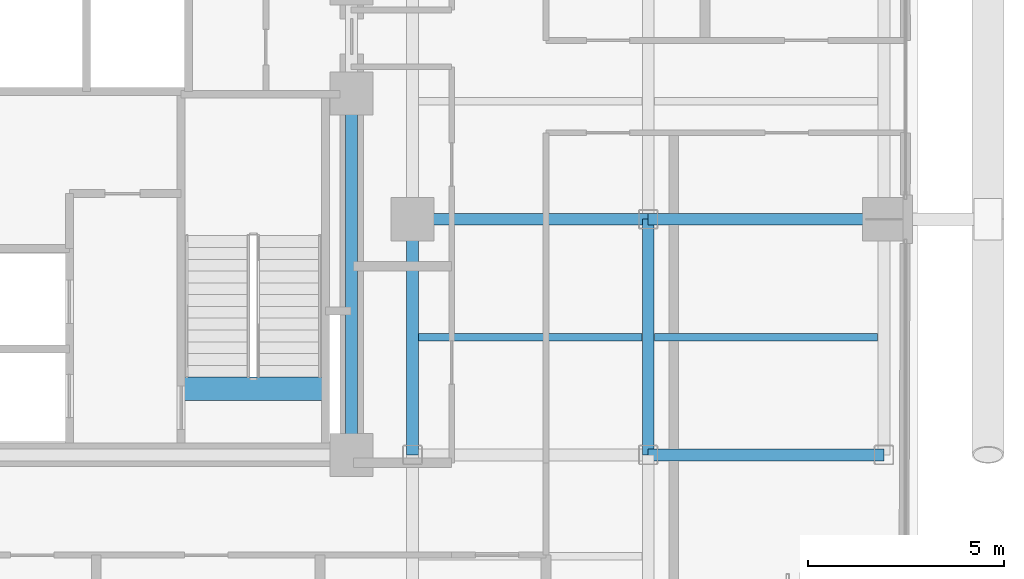
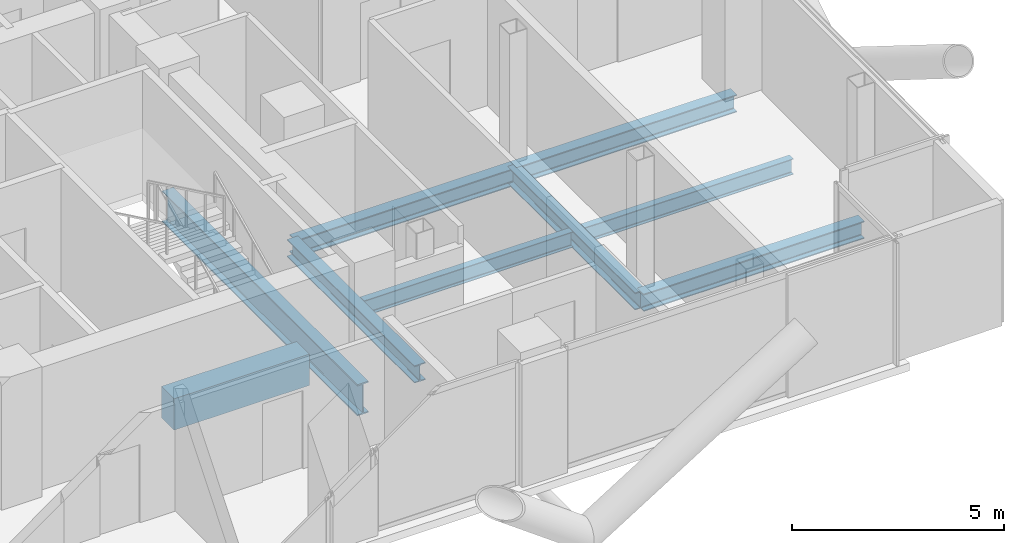
# One storey, part 10 of 24: 9 beams.
"""IFC4 building model written with IfcOpenShell, lengths in metres."""

from ifc_helpers import new_model, si_unit, direction, frame, origin, origin_2d, place, context, subcontext, project, spatial, rectangle, i_section, extrude, material, material_profile, profile_set, type_object, element, save


model = new_model("IFC4")

# Units and contexts
model_context = context("Model", 3, precision=1e-05, world=origin(), true_north=direction((0.0, 1.0)))
body_context = subcontext(model_context, "Body", "Model", "MODEL_VIEW")
ifc_project = project(units=[si_unit("LENGTHUNIT", "METRE"), si_unit("AREAUNIT", "SQUARE_METRE"), si_unit("VOLUMEUNIT", "CUBIC_METRE"), si_unit("PLANEANGLEUNIT", "RADIAN"), si_unit("MASSUNIT", "GRAM", prefix="KILO"), si_unit("THERMODYNAMICTEMPERATUREUNIT", "KELVIN"), si_unit("POWERUNIT", "WATT")], contexts=[model_context])

# Site, building, storey
site_placement = place(None, origin())
site = spatial("IfcSite", under=ifc_project, at=site_placement, CompositionType="ELEMENT")
building_placement = place(site_placement, origin())
building = spatial("IfcBuilding", under=site, at=building_placement, Name="Svarakhadi Broadcast Tower", CompositionType="ELEMENT")
storey_placement = place(building_placement, frame((0.0, 0.0, 130.64990234375)))
storey = spatial("IfcBuildingStorey", under=building, at=storey_placement, Name="L31", CompositionType="ELEMENT", Elevation=130.64990234375)

# Beams
ifc_material_1 = material(Name="Steel S355J2 (IS 2062 E350C)", Category="steel")
ifc_material_profile_1 = material_profile(ifc_material_1, i_section(OverallWidth=0.18994140625, OverallDepth=0.449951171875, WebThickness=0.009521484375, FlangeThickness=0.0146484375, FilletRadius=0.02099609375, at=origin_2d()), Name="NPB 450x190x78")
ifc_profile_set_1 = profile_set([ifc_material_profile_1], Name="Steel S355J2 (IS 2062 E350C)")
beam_type_1 = type_object("IfcBeamType", Name="Beam_NPB450", PredefinedType="BEAM", material=ifc_profile_set_1)
for number, where, z_axis, x_axis, name in (
    (1, (35.31005859375, 9.0, -0.449951171875), (1.0, 0.0, 0.0), (0.0, 1.0, 0.0), "L31 Secondary Composite Beam SB020"),
    (2, (41.31005859375, 9.0, -0.449951171875), (1.0, 0.0, 0.0), (0.0, 1.0, 0.0), "L31 Secondary Composite Beam SB022"),
):
    element("IfcBeam", number, at=place(storey_placement, frame(where, z_axis=z_axis, x_axis=x_axis)), inside=storey, type_object=beam_type_1, Name=name, PredefinedType="BEAM", context=body_context, shape_type="SweptSolid", body=[
        extrude(i_section(OverallWidth=0.18994140625, OverallDepth=0.449951171875, WebThickness=0.009521484375, FlangeThickness=0.0146484375, FilletRadius=0.02099609375, at=origin_2d()), origin(), (0.0, 0.0, 1.0), 5.679931640625),
    ])
ifc_material_2 = material(Name="Concrete C50/60 (IS 456 M60)", Category="concrete")
ifc_material_profile_2 = material_profile(ifc_material_2, rectangle(XDim=0.60009765625, YDim=0.89990234375, at=origin_2d()), Name="RC 600x900")
ifc_profile_set_2 = profile_set([ifc_material_profile_2], Name="Concrete C50/60 (IS 456 M60)")
beam_type_2 = type_object("IfcBeamType", Name="Coupling_RC600", PredefinedType="USERDEFINED", material=ifc_profile_set_2)
beam_1_placement = place(storey_placement, frame((29.260009765625, 7.679931640625, -0.449951171875), z_axis=(1.0, 0.0, 0.0), x_axis=(0.0, 1.0, 0.0)))
element("IfcBeam", 3, at=beam_1_placement, inside=storey, type_object=beam_type_2, Name="L31 Stair ST-02 Landing Throat Trimmer Beam CB-01", ObjectType="GIRDER", PredefinedType="USERDEFINED", context=body_context, shape_type="SweptSolid", body=[
    extrude(rectangle(XDim=0.60009765625, YDim=0.89990234375, at=origin_2d()), origin(), (0.0, 0.0, 1.0), 3.679931640625),
])
ifc_material_profile_3 = material_profile(ifc_material_1, i_section(OverallWidth=0.300048828125, OverallDepth=0.5, WebThickness=0.014404296875, FlangeThickness=0.028076171875, FilletRadius=0.027099609375, at=origin_2d()), Name="WPB 500x300x187")
ifc_profile_set_3 = profile_set([ifc_material_profile_3], Name="Steel S355J2 (IS 2062 E350C)")
beam_type_3 = type_object("IfcBeamType", Name="Girder_WPB500", PredefinedType="USERDEFINED", material=ifc_profile_set_3)
for number, where, z_axis, x_axis, name in (
    (4, (41.14990234375, 6.0, -0.474853515625), (1.0, 0.0, 0.0), (0.0, 1.0, 0.0), "L31 Primary E-W Girder G016"),
    (5, (35.14990234375, 12.0, -0.474853515625), (1.0, 0.0, 0.0), (0.0, 1.0, 0.0), "L31 Primary E-W Girder G021"),
    (6, (41.14990234375, 12.0, -0.474853515625), (1.0, 0.0, 0.0), (0.0, 1.0, 0.0), "L31 Primary E-W Girder G022"),
    (7, (35.14990234375, 6.0, -0.474853515625), (0.0, 1.0, 0.0), (-1.0, 0.0, 0.0), "L31 Primary N-S Girder G068"),
    (8, (41.14990234375, 6.0, -0.474853515625), (0.0, 1.0, 0.0), (-1.0, 0.0, 0.0), "L31 Primary N-S Girder G071"),
):
    element("IfcBeam", number, at=place(storey_placement, frame(where, z_axis=z_axis, x_axis=x_axis)), inside=storey, type_object=beam_type_3, Name=name, ObjectType="GIRDER", PredefinedType="USERDEFINED", context=body_context, shape_type="SweptSolid", body=[
        extrude(i_section(OverallWidth=0.300048828125, OverallDepth=0.5, WebThickness=0.014404296875, FlangeThickness=0.028076171875, FilletRadius=0.027099609375, at=origin_2d()), origin(), (0.0, 0.0, 1.0), 6.0),
    ])
ifc_material_3 = material(Name="Steel S460ML (IS 2062 E450BR)", Category="steel")
ifc_material_profile_4 = material_profile(ifc_material_3, i_section(OverallWidth=0.300048828125, OverallDepth=0.89990234375, WebThickness=0.0185546875, FlangeThickness=0.034912109375, FilletRadius=0.030029296875, at=origin_2d()), Name="WPB 900x300x291")
ifc_profile_set_4 = profile_set([ifc_material_profile_4], Name="Steel S460ML (IS 2062 E450BR)")
beam_type_4 = type_object("IfcBeamType", Name="Girder_WPB900", PredefinedType="USERDEFINED", material=ifc_profile_set_4)
beam_2_placement = place(storey_placement, frame((33.60009765625, 6.0, -0.6748046875), z_axis=(0.0, 1.0, 0.0), x_axis=(-1.0, 0.0, 0.0)))
element("IfcBeam", 9, at=beam_2_placement, inside=storey, type_object=beam_type_4, Name="L31 Primary N-S Girder G065", ObjectType="GIRDER", PredefinedType="USERDEFINED", context=body_context, shape_type="SweptSolid", body=[
    extrude(i_section(OverallWidth=0.300048828125, OverallDepth=0.89990234375, WebThickness=0.0185546875, FlangeThickness=0.034912109375, FilletRadius=0.030029296875, at=origin_2d()), origin(), (0.0, 0.0, 1.0), 9.199951171875),
])

save(model, "model.ifc")
